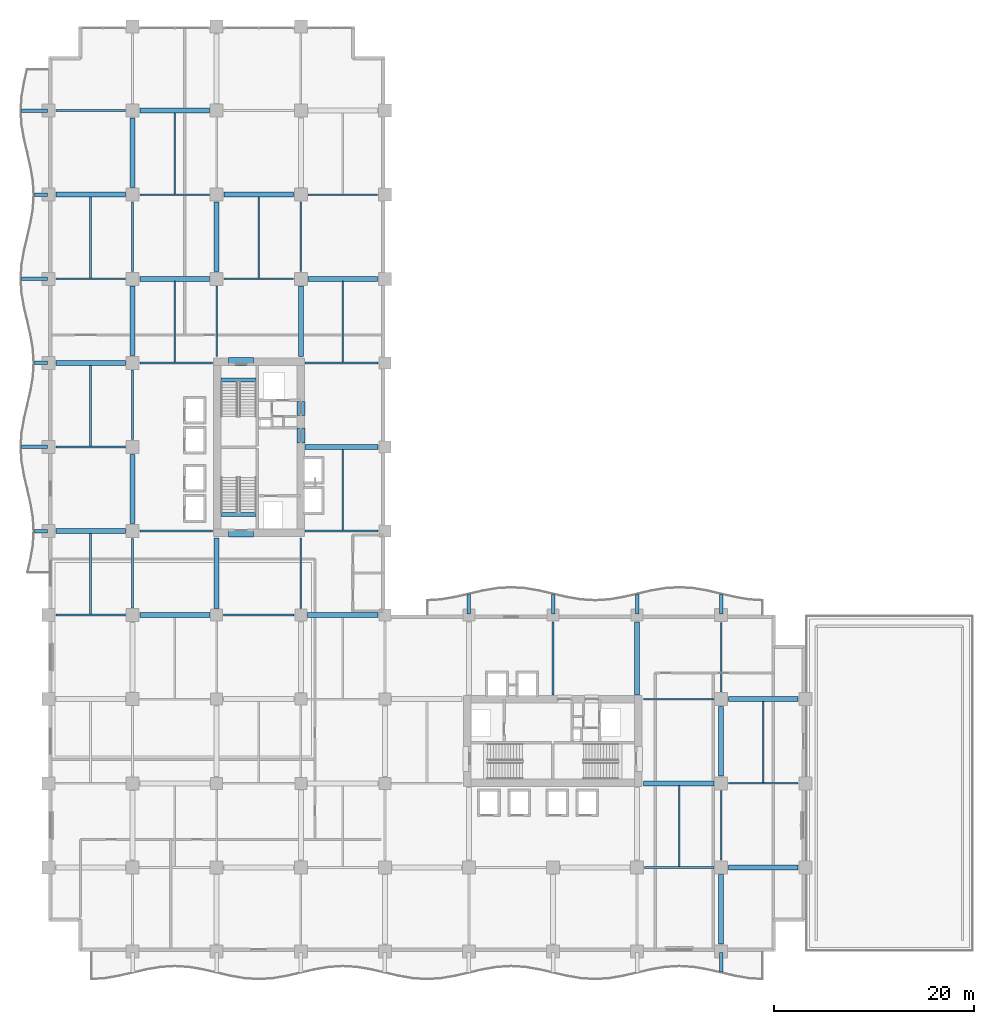
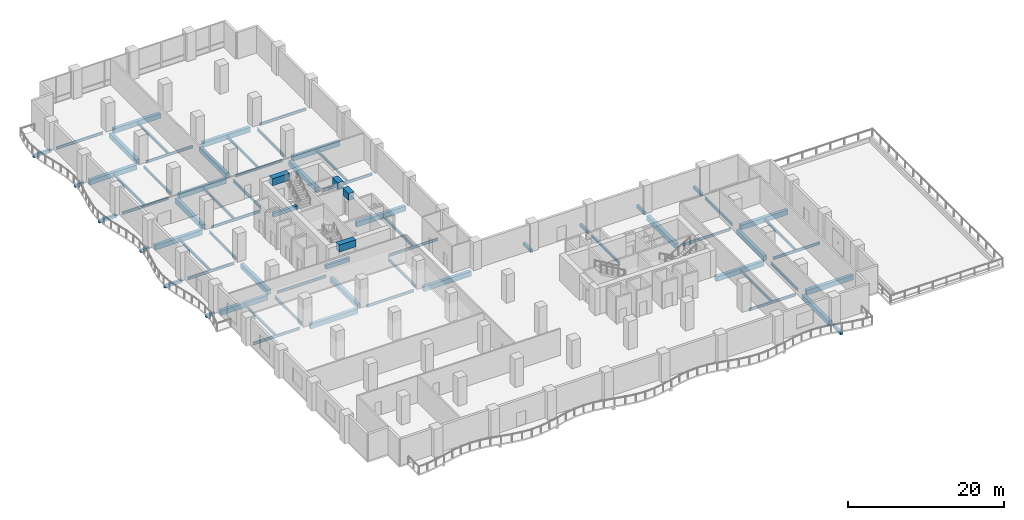
# One storey, part 2 of 21: 73 beams.
"""IFC4 building model written with IfcOpenShell, lengths in metres."""

from ifc_helpers import new_model, si_unit, direction, frame, origin, origin_2d, place, context, subcontext, project, spatial, rectangle, i_section, extrude, material, material_profile, profile_set, type_object, element, save


model = new_model("IFC4")

# Units and contexts
model_context = context("Model", 3, precision=1e-05, world=origin(), true_north=direction((0.0, 1.0)))
body_context = subcontext(model_context, "Body", "Model", "MODEL_VIEW")
ifc_project = project(units=[si_unit("LENGTHUNIT", "METRE"), si_unit("AREAUNIT", "SQUARE_METRE"), si_unit("VOLUMEUNIT", "CUBIC_METRE"), si_unit("PLANEANGLEUNIT", "RADIAN"), si_unit("MASSUNIT", "GRAM", prefix="KILO")], contexts=[model_context])

# Site, building, storey
site_placement = place(None, origin())
site = spatial("IfcSite", under=ifc_project, at=site_placement, CompositionType="ELEMENT")
building_placement = place(site_placement, origin())
building = spatial("IfcBuilding", under=site, at=building_placement, Name="Koriwani Terraces Tower", CompositionType="ELEMENT")
storey_placement = place(building_placement, frame((0.0, 0.0, 85.199951171875)))
storey = spatial("IfcBuildingStorey", under=building, at=storey_placement, Name="L20", CompositionType="ELEMENT", Elevation=85.199951171875)

# Beams
ifc_material_1 = material(Name="Concrete C40/50", Category="concrete")
ifc_material_profile_1 = material_profile(ifc_material_1, rectangle(XDim=0.35009765625, YDim=0.449951171875, at=origin_2d()), Name="Concrete C40/50", Category="LoadBearing")
ifc_profile_set_1 = profile_set([ifc_material_profile_1], Name="Concrete C40/50")
beam_type_1 = type_object("IfcBeamType", Name="BEAM_RC_BALCONY_RIB_350X450", PredefinedType="JOIST", material=ifc_profile_set_1)
beam_1_placement = place(storey_placement, frame((67.199951171875, -2.050048828125, -0.474853515625), z_axis=(0.0, 1.0, 0.0), x_axis=(-1.0, 0.0, 0.0)))
element("IfcBeam", 1, at=beam_1_placement, inside=storey, type_object=beam_type_1, Name="L20 Balcony Bracket Rib S-8", PredefinedType="JOIST", context=body_context, shape_type="SweptSolid", body=[
    extrude(rectangle(XDim=0.35009765625, YDim=0.449951171875, at=origin_2d()), origin(), (0.0, 0.0, 1.0), 1.949951171875),
])
beam_2_placement = place(storey_placement, frame((-1.39990234375, 42.0, -0.474853515625), z_axis=(1.0, 0.0, 0.0), x_axis=(0.0, 1.0, 0.0)))
element("IfcBeam", 2, at=beam_2_placement, inside=storey, type_object=beam_type_1, Name="L20 Balcony Bracket Rib W-1", PredefinedType="JOIST", context=body_context, shape_type="SweptSolid", body=[
    extrude(rectangle(XDim=0.35009765625, YDim=0.449951171875, at=origin_2d()), origin(), (0.0, 0.0, 1.0), 1.2998046875),
])
beam_3_placement = place(storey_placement, frame((-2.699951171875, 50.39990234375, -0.474853515625), z_axis=(1.0, 0.0, 0.0), x_axis=(0.0, 1.0, 0.0)))
element("IfcBeam", 3, at=beam_3_placement, inside=storey, type_object=beam_type_1, Name="L20 Balcony Bracket Rib W-2", PredefinedType="JOIST", context=body_context, shape_type="SweptSolid", body=[
    extrude(rectangle(XDim=0.35009765625, YDim=0.449951171875, at=origin_2d()), origin(), (0.0, 0.0, 1.0), 2.599853515625),
])
beam_4_placement = place(storey_placement, frame((-1.39990234375, 58.800048828125, -0.474853515625), z_axis=(1.0, 0.0, 0.0), x_axis=(0.0, 1.0, 0.0)))
element("IfcBeam", 4, at=beam_4_placement, inside=storey, type_object=beam_type_1, Name="L20 Balcony Bracket Rib W-3", PredefinedType="JOIST", context=body_context, shape_type="SweptSolid", body=[
    extrude(rectangle(XDim=0.35009765625, YDim=0.449951171875, at=origin_2d()), origin(), (0.0, 0.0, 1.0), 1.2998046875),
])
beam_5_placement = place(storey_placement, frame((-2.699951171875, 67.199951171875, -0.474853515625), z_axis=(1.0, 0.0, 0.0), x_axis=(0.0, 1.0, 0.0)))
element("IfcBeam", 5, at=beam_5_placement, inside=storey, type_object=beam_type_1, Name="L20 Balcony Bracket Rib W-4", PredefinedType="JOIST", context=body_context, shape_type="SweptSolid", body=[
    extrude(rectangle(XDim=0.35009765625, YDim=0.449951171875, at=origin_2d()), origin(), (0.0, 0.0, 1.0), 2.599853515625),
])
beam_6_placement = place(storey_placement, frame((-1.39990234375, 75.60009765625, -0.474853515625), z_axis=(1.0, 0.0, 0.0), x_axis=(0.0, 1.0, 0.0)))
element("IfcBeam", 6, at=beam_6_placement, inside=storey, type_object=beam_type_1, Name="L20 Balcony Bracket Rib W-5", PredefinedType="JOIST", context=body_context, shape_type="SweptSolid", body=[
    extrude(rectangle(XDim=0.35009765625, YDim=0.449951171875, at=origin_2d()), origin(), (0.0, 0.0, 1.0), 1.2998046875),
])
beam_7_placement = place(storey_placement, frame((-2.699951171875, 84.0, -0.474853515625), z_axis=(1.0, 0.0, 0.0), x_axis=(0.0, 1.0, 0.0)))
element("IfcBeam", 7, at=beam_7_placement, inside=storey, type_object=beam_type_1, Name="L20 Balcony Bracket Rib W-6", PredefinedType="JOIST", context=body_context, shape_type="SweptSolid", body=[
    extrude(rectangle(XDim=0.35009765625, YDim=0.449951171875, at=origin_2d()), origin(), (0.0, 0.0, 1.0), 2.599853515625),
])
for number, where, z_axis, x_axis, name in (
    (8, (42.0, 33.699951171875, -0.474853515625), (0.0, 1.0, 0.0), (-1.0, 0.0, 0.0), "L20 Balcony Bracket Rib NE-1"),
    (9, (50.39990234375, 33.699951171875, -0.474853515625), (0.0, 1.0, 0.0), (-1.0, 0.0, 0.0), "L20 Balcony Bracket Rib NE-2"),
    (10, (58.800048828125, 33.699951171875, -0.474853515625), (0.0, 1.0, 0.0), (-1.0, 0.0, 0.0), "L20 Balcony Bracket Rib NE-3"),
    (11, (67.199951171875, 33.699951171875, -0.474853515625), (0.0, 1.0, 0.0), (-1.0, 0.0, 0.0), "L20 Balcony Bracket Rib NE-4"),
):
    element("IfcBeam", number, at=place(storey_placement, frame(where, z_axis=z_axis, x_axis=x_axis)), inside=storey, type_object=beam_type_1, Name=name, PredefinedType="JOIST", context=body_context, shape_type="SweptSolid", body=[
        extrude(rectangle(XDim=0.35009765625, YDim=0.449951171875, at=origin_2d()), origin(), (0.0, 0.0, 1.0), 1.949951171875),
    ])
ifc_material_2 = material(Name="Concrete C60/75", Category="concrete")
ifc_material_profile_2 = material_profile(ifc_material_2, rectangle(XDim=0.800048828125, YDim=1.10009765625, at=origin_2d()), Name="Concrete C60/75", Category="LoadBearing")
ifc_profile_set_2 = profile_set([ifc_material_profile_2], Name="Concrete C60/75")
beam_type_2 = type_object("IfcBeamType", Name="BEAM_RC_COUPLING_800X1100", PredefinedType="LINTEL", material=ifc_profile_set_2)
beam_8_placement = place(storey_placement, frame((25.199951171875, 50.800048828125, 3.60009765625), z_axis=(0.0, 1.0, 0.0), x_axis=(-1.0, 0.0, 0.0)))
element("IfcBeam", 12, at=beam_8_placement, inside=storey, type_object=beam_type_2, Name="L20 Core Coupling Lintel Beam WE1", PredefinedType="LINTEL", context=body_context, shape_type="SweptSolid", body=[
    extrude(rectangle(XDim=0.800048828125, YDim=1.10009765625, at=origin_2d()), origin(), (0.0, 0.0, 1.0), 1.47998046875),
])
beam_9_placement = place(storey_placement, frame((25.199951171875, 53.550048828125, 3.60009765625), z_axis=(0.0, 1.0, 0.0), x_axis=(-1.0, 0.0, 0.0)))
element("IfcBeam", 13, at=beam_9_placement, inside=storey, type_object=beam_type_2, Name="L20 Core Coupling Lintel Beam WE2", PredefinedType="LINTEL", context=body_context, shape_type="SweptSolid", body=[
    extrude(rectangle(XDim=0.800048828125, YDim=1.10009765625, at=origin_2d()), origin(), (0.0, 0.0, 1.0), 1.39990234375),
])
for number, where, z_axis, x_axis, name in (
    (14, (18.0, 41.824951171875, 3.60009765625), (1.0, 0.0, 0.0), (0.0, 1.0, 0.0), "L20 Core Coupling Lintel Beam WS"),
    (15, (18.0, 58.925048828125, 3.60009765625), (1.0, 0.0, 0.0), (0.0, 1.0, 0.0), "L20 Core Coupling Lintel Beam WN"),
):
    element("IfcBeam", number, at=place(storey_placement, frame(where, z_axis=z_axis, x_axis=x_axis)), inside=storey, type_object=beam_type_2, Name=name, PredefinedType="LINTEL", context=body_context, shape_type="SweptSolid", body=[
        extrude(rectangle(XDim=0.800048828125, YDim=1.10009765625, at=origin_2d()), origin(), (0.0, 0.0, 1.0), 2.5),
    ])
ifc_material_profile_3 = material_profile(ifc_material_1, rectangle(XDim=0.39990234375, YDim=0.60009765625, at=origin_2d()), Name="Concrete C40/50", Category="LoadBearing")
ifc_profile_set_3 = profile_set([ifc_material_profile_3], Name="Concrete C40/50")
beam_type_3 = type_object("IfcBeamType", Name="BEAM_RC_GRID_400X600", PredefinedType="BEAM", material=ifc_profile_set_3)
for number, where, z_axis, x_axis, name in (
    (16, (17.25, 43.655029296875, -0.300048828125), (1.0, 0.0, 0.0), (0.0, 1.0, 0.0), "L20 Stairwell Header Trimmer Beam ST-W1"),
    (17, (17.25, 57.094970703125, -0.300048828125), (1.0, 0.0, 0.0), (0.0, 1.0, 0.0), "L20 Stairwell Header Trimmer Beam ST-W2"),
):
    element("IfcBeam", number, at=place(storey_placement, frame(where, z_axis=z_axis, x_axis=x_axis)), inside=storey, type_object=beam_type_3, Name=name, PredefinedType="BEAM", context=body_context, shape_type="SweptSolid", body=[
        extrude(rectangle(XDim=0.39990234375, YDim=0.60009765625, at=origin_2d()), origin(), (0.0, 0.0, 1.0), 3.5),
    ])
ifc_material_3 = material(Name="Concrete C50/60", Category="concrete")
ifc_material_profile_4 = material_profile(ifc_material_3, rectangle(XDim=0.5, YDim=0.75, at=origin_2d()), Name="Concrete C50/60", Category="LoadBearing")
ifc_profile_set_4 = profile_set([ifc_material_profile_4], Name="Concrete C50/60")
beam_type_4 = type_object("IfcBeamType", Name="BEAM_RC_GRID_500X750", PredefinedType="BEAM", material=ifc_profile_set_4)
beam_10_placement = place(storey_placement, frame((67.929931640625, 8.39990234375, -0.625), z_axis=(1.0, 0.0, 0.0), x_axis=(0.0, 1.0, 0.0)))
element("IfcBeam", 18, at=beam_10_placement, inside=storey, type_object=beam_type_4, Name="L20 Grid Beam B (67.2-75.6m)", PredefinedType="BEAM", context=body_context, shape_type="SweptSolid", body=[
    extrude(rectangle(XDim=0.5, YDim=0.75, at=origin_2d()), origin(), (0.0, 0.0, 1.0), 6.940185546875),
])
beam_11_placement = place(storey_placement, frame((59.429931640625, 16.800048828125, -0.625), z_axis=(1.0, 0.0, 0.0), x_axis=(0.0, 1.0, 0.0)))
element("IfcBeam", 19, at=beam_11_placement, inside=storey, type_object=beam_type_4, Name="L20 Grid Beam C (58.8-67.2m)", PredefinedType="BEAM", context=body_context, shape_type="SweptSolid", body=[
    extrude(rectangle(XDim=0.5, YDim=0.75, at=origin_2d()), origin(), (0.0, 0.0, 1.0), 7.0400390625),
])
beam_12_placement = place(storey_placement, frame((67.929931640625, 25.199951171875, -0.625), z_axis=(1.0, 0.0, 0.0), x_axis=(0.0, 1.0, 0.0)))
element("IfcBeam", 20, at=beam_12_placement, inside=storey, type_object=beam_type_4, Name="L20 Grid Beam D (67.2-75.6m)", PredefinedType="BEAM", context=body_context, shape_type="SweptSolid", body=[
    extrude(rectangle(XDim=0.5, YDim=0.75, at=origin_2d()), origin(), (0.0, 0.0, 1.0), 6.940185546875),
])
beam_13_placement = place(storey_placement, frame((9.1298828125, 33.60009765625, -0.625), z_axis=(1.0, 0.0, 0.0), x_axis=(0.0, 1.0, 0.0)))
element("IfcBeam", 21, at=beam_13_placement, inside=storey, type_object=beam_type_4, Name="L20 Grid Beam E (8.4-16.8m)", PredefinedType="BEAM", context=body_context, shape_type="SweptSolid", body=[
    extrude(rectangle(XDim=0.5, YDim=0.75, at=origin_2d()), origin(), (0.0, 0.0, 1.0), 6.990234375),
])
beam_14_placement = place(storey_placement, frame((25.8798828125, 33.60009765625, -0.625), z_axis=(1.0, 0.0, 0.0), x_axis=(0.0, 1.0, 0.0)))
element("IfcBeam", 22, at=beam_14_placement, inside=storey, type_object=beam_type_4, Name="L20 Grid Beam E (25.2-33.6m)", PredefinedType="BEAM", context=body_context, shape_type="SweptSolid", body=[
    extrude(rectangle(XDim=0.5, YDim=0.75, at=origin_2d()), origin(), (0.0, 0.0, 1.0), 7.0400390625),
])
beam_15_placement = place(storey_placement, frame((0.72998046875, 42.0, -0.625), z_axis=(1.0, 0.0, 0.0), x_axis=(0.0, 1.0, 0.0)))
element("IfcBeam", 23, at=beam_15_placement, inside=storey, type_object=beam_type_4, Name="L20 Grid Beam F (0.0-8.4m)", PredefinedType="BEAM", context=body_context, shape_type="SweptSolid", body=[
    extrude(rectangle(XDim=0.5, YDim=0.75, at=origin_2d()), origin(), (0.0, 0.0, 1.0), 6.93994140625),
])
beam_16_placement = place(storey_placement, frame((25.6298828125, 50.39990234375, -0.625), z_axis=(1.0, 0.0, 0.0), x_axis=(0.0, 1.0, 0.0)))
element("IfcBeam", 24, at=beam_16_placement, inside=storey, type_object=beam_type_4, Name="L20 Grid Beam G (25.2-33.6m)", PredefinedType="BEAM", context=body_context, shape_type="SweptSolid", body=[
    extrude(rectangle(XDim=0.5, YDim=0.75, at=origin_2d()), origin(), (0.0, 0.0, 1.0), 7.2900390625),
])
beam_17_placement = place(storey_placement, frame((0.72998046875, 58.800048828125, -0.625), z_axis=(1.0, 0.0, 0.0), x_axis=(0.0, 1.0, 0.0)))
element("IfcBeam", 25, at=beam_17_placement, inside=storey, type_object=beam_type_4, Name="L20 Grid Beam H (0.0-8.4m)", PredefinedType="BEAM", context=body_context, shape_type="SweptSolid", body=[
    extrude(rectangle(XDim=0.5, YDim=0.75, at=origin_2d()), origin(), (0.0, 0.0, 1.0), 6.93994140625),
])
for number, where, z_axis, x_axis, name in (
    (26, (9.1298828125, 67.199951171875, -0.625), (1.0, 0.0, 0.0), (0.0, 1.0, 0.0), "L20 Grid Beam I (8.4-16.8m)"),
    (27, (25.929931640625, 67.199951171875, -0.625), (1.0, 0.0, 0.0), (0.0, 1.0, 0.0), "L20 Grid Beam I (25.2-33.6m)"),
):
    element("IfcBeam", number, at=place(storey_placement, frame(where, z_axis=z_axis, x_axis=x_axis)), inside=storey, type_object=beam_type_4, Name=name, PredefinedType="BEAM", context=body_context, shape_type="SweptSolid", body=[
        extrude(rectangle(XDim=0.5, YDim=0.75, at=origin_2d()), origin(), (0.0, 0.0, 1.0), 6.940185546875),
    ])
for number, where, z_axis, x_axis, name in (
    (28, (0.72998046875, 75.60009765625, -0.625), (1.0, 0.0, 0.0), (0.0, 1.0, 0.0), "L20 Grid Beam J (0.0-8.4m)"),
    (29, (17.530029296875, 75.60009765625, -0.625), (1.0, 0.0, 0.0), (0.0, 1.0, 0.0), "L20 Grid Beam J (16.8-25.2m)"),
):
    element("IfcBeam", number, at=place(storey_placement, frame(where, z_axis=z_axis, x_axis=x_axis)), inside=storey, type_object=beam_type_4, Name=name, PredefinedType="BEAM", context=body_context, shape_type="SweptSolid", body=[
        extrude(rectangle(XDim=0.5, YDim=0.75, at=origin_2d()), origin(), (0.0, 0.0, 1.0), 6.93994140625),
    ])
beam_18_placement = place(storey_placement, frame((9.1298828125, 84.0, -0.625), z_axis=(1.0, 0.0, 0.0), x_axis=(0.0, 1.0, 0.0)))
element("IfcBeam", 30, at=beam_18_placement, inside=storey, type_object=beam_type_4, Name="L20 Grid Beam K (8.4-16.8m)", PredefinedType="BEAM", context=body_context, shape_type="SweptSolid", body=[
    extrude(rectangle(XDim=0.5, YDim=0.75, at=origin_2d()), origin(), (0.0, 0.0, 1.0), 6.940185546875),
])
for number, where, z_axis, x_axis, name in (
    (31, (8.39990234375, 42.72998046875, -0.625), (0.0, 1.0, 0.0), (-1.0, 0.0, 0.0), "L20 Grid Beam 2 (42.0-50.4m)"),
    (32, (8.39990234375, 59.530029296875, -0.625), (0.0, 1.0, 0.0), (-1.0, 0.0, 0.0), "L20 Grid Beam 2 (58.8-67.2m)"),
    (33, (8.39990234375, 76.330078125, -0.625), (0.0, 1.0, 0.0), (-1.0, 0.0, 0.0), "L20 Grid Beam 2 (75.6-84.0m)"),
):
    element("IfcBeam", number, at=place(storey_placement, frame(where, z_axis=z_axis, x_axis=x_axis)), inside=storey, type_object=beam_type_4, Name=name, PredefinedType="BEAM", context=body_context, shape_type="SweptSolid", body=[
        extrude(rectangle(XDim=0.5, YDim=0.75, at=origin_2d()), origin(), (0.0, 0.0, 1.0), 6.93994140625),
    ])
beam_19_placement = place(storey_placement, frame((16.800048828125, 34.280029296875, -0.625), z_axis=(0.0, 1.0, 0.0), x_axis=(-1.0, 0.0, 0.0)))
element("IfcBeam", 34, at=beam_19_placement, inside=storey, type_object=beam_type_4, Name="L20 Grid Beam 3 (33.6-42.0m)", PredefinedType="BEAM", context=body_context, shape_type="SweptSolid", body=[
    extrude(rectangle(XDim=0.5, YDim=0.75, at=origin_2d()), origin(), (0.0, 0.0, 1.0), 7.0400390625),
])
beam_20_placement = place(storey_placement, frame((16.800048828125, 67.929931640625, -0.625), z_axis=(0.0, 1.0, 0.0), x_axis=(-1.0, 0.0, 0.0)))
element("IfcBeam", 35, at=beam_20_placement, inside=storey, type_object=beam_type_4, Name="L20 Grid Beam 3 (67.2-75.6m)", PredefinedType="BEAM", context=body_context, shape_type="SweptSolid", body=[
    extrude(rectangle(XDim=0.5, YDim=0.75, at=origin_2d()), origin(), (0.0, 0.0, 1.0), 6.940185546875),
])
beam_21_placement = place(storey_placement, frame((25.199951171875, 59.429931640625, -0.625), z_axis=(0.0, 1.0, 0.0), x_axis=(-1.0, 0.0, 0.0)))
element("IfcBeam", 36, at=beam_21_placement, inside=storey, type_object=beam_type_4, Name="L20 Grid Beam 4 (58.8-67.2m)", PredefinedType="BEAM", context=body_context, shape_type="SweptSolid", body=[
    extrude(rectangle(XDim=0.5, YDim=0.75, at=origin_2d()), origin(), (0.0, 0.0, 1.0), 7.0400390625),
])
beam_22_placement = place(storey_placement, frame((58.800048828125, 25.6298828125, -0.625), z_axis=(0.0, 1.0, 0.0), x_axis=(-1.0, 0.0, 0.0)))
element("IfcBeam", 37, at=beam_22_placement, inside=storey, type_object=beam_type_4, Name="L20 Grid Beam 8 (25.2-33.6m)", PredefinedType="BEAM", context=body_context, shape_type="SweptSolid", body=[
    extrude(rectangle(XDim=0.5, YDim=0.75, at=origin_2d()), origin(), (0.0, 0.0, 1.0), 7.2900390625),
])
for number, where, z_axis, x_axis, name in (
    (38, (67.199951171875, 0.72998046875, -0.625), (0.0, 1.0, 0.0), (-1.0, 0.0, 0.0), "L20 Grid Beam 9 (0.0-8.4m)"),
    (39, (67.199951171875, 17.530029296875, -0.625), (0.0, 1.0, 0.0), (-1.0, 0.0, 0.0), "L20 Grid Beam 9 (16.8-25.2m)"),
):
    element("IfcBeam", number, at=place(storey_placement, frame(where, z_axis=z_axis, x_axis=x_axis)), inside=storey, type_object=beam_type_4, Name=name, PredefinedType="BEAM", context=body_context, shape_type="SweptSolid", body=[
        extrude(rectangle(XDim=0.5, YDim=0.75, at=origin_2d()), origin(), (0.0, 0.0, 1.0), 6.93994140625),
    ])
ifc_material_4 = material(Name="Steel ASTM A572 Grade 50", Category="steel")
ifc_material_profile_5 = material_profile(ifc_material_4, i_section(OverallWidth=0.180908203125, OverallDepth=0.4169921875, WebThickness=0.010986328125, FlangeThickness=0.018310546875, at=origin_2d()), Name="Steel ASTM A572 Grade 50", Category="LoadBearing")
ifc_profile_set_5 = profile_set([ifc_material_profile_5], Name="Steel ASTM A572 Grade 50")
beam_type_5 = type_object("IfcBeamType", Name="STEEL_BEAM_W410X85", PredefinedType="JOIST", material=ifc_profile_set_5)
beam_23_placement = place(storey_placement, frame((59.530029296875, 8.39990234375, -0.45849609375), z_axis=(1.0, 0.0, 0.0), x_axis=(0.0, 1.0, 0.0)))
element("IfcBeam", 40, at=beam_23_placement, inside=storey, type_object=beam_type_5, Name="L20 Grid Beam B (58.8-67.2m)", PredefinedType="JOIST", context=body_context, shape_type="SweptSolid", body=[
    extrude(i_section(OverallWidth=0.180908203125, OverallDepth=0.4169921875, WebThickness=0.010986328125, FlangeThickness=0.018310546875, at=origin_2d()), origin(), (0.0, 0.0, 1.0), 6.93994140625),
])
beam_24_placement = place(storey_placement, frame((67.929931640625, 16.800048828125, -0.45849609375), z_axis=(1.0, 0.0, 0.0), x_axis=(0.0, 1.0, 0.0)))
element("IfcBeam", 41, at=beam_24_placement, inside=storey, type_object=beam_type_5, Name="L20 Grid Beam C (67.2-75.6m)", PredefinedType="JOIST", context=body_context, shape_type="SweptSolid", body=[
    extrude(i_section(OverallWidth=0.180908203125, OverallDepth=0.4169921875, WebThickness=0.010986328125, FlangeThickness=0.018310546875, at=origin_2d()), origin(), (0.0, 0.0, 1.0), 6.940185546875),
])
beam_25_placement = place(storey_placement, frame((59.429931640625, 25.199951171875, -0.45849609375), z_axis=(1.0, 0.0, 0.0), x_axis=(0.0, 1.0, 0.0)))
element("IfcBeam", 42, at=beam_25_placement, inside=storey, type_object=beam_type_5, Name="L20 Grid Beam D (58.8-67.2m)", PredefinedType="JOIST", context=body_context, shape_type="SweptSolid", body=[
    extrude(i_section(OverallWidth=0.180908203125, OverallDepth=0.4169921875, WebThickness=0.010986328125, FlangeThickness=0.018310546875, at=origin_2d()), origin(), (0.0, 0.0, 1.0), 7.0400390625),
])
beam_26_placement = place(storey_placement, frame((0.72998046875, 33.60009765625, -0.45849609375), z_axis=(1.0, 0.0, 0.0), x_axis=(0.0, 1.0, 0.0)))
element("IfcBeam", 43, at=beam_26_placement, inside=storey, type_object=beam_type_5, Name="L20 Grid Beam E (0.0-8.4m)", PredefinedType="JOIST", context=body_context, shape_type="SweptSolid", body=[
    extrude(i_section(OverallWidth=0.180908203125, OverallDepth=0.4169921875, WebThickness=0.010986328125, FlangeThickness=0.018310546875, at=origin_2d()), origin(), (0.0, 0.0, 1.0), 6.93994140625),
])
beam_27_placement = place(storey_placement, frame((17.47998046875, 33.60009765625, -0.45849609375), z_axis=(1.0, 0.0, 0.0), x_axis=(0.0, 1.0, 0.0)))
element("IfcBeam", 44, at=beam_27_placement, inside=storey, type_object=beam_type_5, Name="L20 Grid Beam E (16.8-25.2m)", PredefinedType="JOIST", context=body_context, shape_type="SweptSolid", body=[
    extrude(i_section(OverallWidth=0.180908203125, OverallDepth=0.4169921875, WebThickness=0.010986328125, FlangeThickness=0.018310546875, at=origin_2d()), origin(), (0.0, 0.0, 1.0), 7.0400390625),
])
beam_28_placement = place(storey_placement, frame((9.1298828125, 42.0, -0.45849609375), z_axis=(1.0, 0.0, 0.0), x_axis=(0.0, 1.0, 0.0)))
element("IfcBeam", 45, at=beam_28_placement, inside=storey, type_object=beam_type_5, Name="L20 Grid Beam F (8.4-16.8m)", PredefinedType="JOIST", context=body_context, shape_type="SweptSolid", body=[
    extrude(i_section(OverallWidth=0.180908203125, OverallDepth=0.4169921875, WebThickness=0.010986328125, FlangeThickness=0.018310546875, at=origin_2d()), origin(), (0.0, 0.0, 1.0), 7.240234375),
])
beam_29_placement = place(storey_placement, frame((25.6298828125, 42.0, -0.45849609375), z_axis=(1.0, 0.0, 0.0), x_axis=(0.0, 1.0, 0.0)))
element("IfcBeam", 46, at=beam_29_placement, inside=storey, type_object=beam_type_5, Name="L20 Grid Beam F (25.2-33.6m)", PredefinedType="JOIST", context=body_context, shape_type="SweptSolid", body=[
    extrude(i_section(OverallWidth=0.180908203125, OverallDepth=0.4169921875, WebThickness=0.010986328125, FlangeThickness=0.018310546875, at=origin_2d()), origin(), (0.0, 0.0, 1.0), 7.2900390625),
])
beam_30_placement = place(storey_placement, frame((0.72998046875, 50.39990234375, -0.45849609375), z_axis=(1.0, 0.0, 0.0), x_axis=(0.0, 1.0, 0.0)))
element("IfcBeam", 47, at=beam_30_placement, inside=storey, type_object=beam_type_5, Name="L20 Grid Beam G (0.0-8.4m)", PredefinedType="JOIST", context=body_context, shape_type="SweptSolid", body=[
    extrude(i_section(OverallWidth=0.180908203125, OverallDepth=0.4169921875, WebThickness=0.010986328125, FlangeThickness=0.018310546875, at=origin_2d()), origin(), (0.0, 0.0, 1.0), 6.93994140625),
])
beam_31_placement = place(storey_placement, frame((9.1298828125, 58.800048828125, -0.45849609375), z_axis=(1.0, 0.0, 0.0), x_axis=(0.0, 1.0, 0.0)))
element("IfcBeam", 48, at=beam_31_placement, inside=storey, type_object=beam_type_5, Name="L20 Grid Beam H (8.4-16.8m)", PredefinedType="JOIST", context=body_context, shape_type="SweptSolid", body=[
    extrude(i_section(OverallWidth=0.180908203125, OverallDepth=0.4169921875, WebThickness=0.010986328125, FlangeThickness=0.018310546875, at=origin_2d()), origin(), (0.0, 0.0, 1.0), 7.240234375),
])
beam_32_placement = place(storey_placement, frame((25.6298828125, 58.800048828125, -0.45849609375), z_axis=(1.0, 0.0, 0.0), x_axis=(0.0, 1.0, 0.0)))
element("IfcBeam", 49, at=beam_32_placement, inside=storey, type_object=beam_type_5, Name="L20 Grid Beam H (25.2-33.6m)", PredefinedType="JOIST", context=body_context, shape_type="SweptSolid", body=[
    extrude(i_section(OverallWidth=0.180908203125, OverallDepth=0.4169921875, WebThickness=0.010986328125, FlangeThickness=0.018310546875, at=origin_2d()), origin(), (0.0, 0.0, 1.0), 7.2900390625),
])
for number, where, z_axis, x_axis, name in (
    (50, (0.72998046875, 67.199951171875, -0.45849609375), (1.0, 0.0, 0.0), (0.0, 1.0, 0.0), "L20 Grid Beam I (0.0-8.4m)"),
    (51, (17.530029296875, 67.199951171875, -0.45849609375), (1.0, 0.0, 0.0), (0.0, 1.0, 0.0), "L20 Grid Beam I (16.8-25.2m)"),
):
    element("IfcBeam", number, at=place(storey_placement, frame(where, z_axis=z_axis, x_axis=x_axis)), inside=storey, type_object=beam_type_5, Name=name, PredefinedType="JOIST", context=body_context, shape_type="SweptSolid", body=[
        extrude(i_section(OverallWidth=0.180908203125, OverallDepth=0.4169921875, WebThickness=0.010986328125, FlangeThickness=0.018310546875, at=origin_2d()), origin(), (0.0, 0.0, 1.0), 6.93994140625),
    ])
for number, where, z_axis, x_axis, name in (
    (52, (9.1298828125, 75.60009765625, -0.45849609375), (1.0, 0.0, 0.0), (0.0, 1.0, 0.0), "L20 Grid Beam J (8.4-16.8m)"),
    (53, (25.929931640625, 75.60009765625, -0.45849609375), (1.0, 0.0, 0.0), (0.0, 1.0, 0.0), "L20 Grid Beam J (25.2-33.6m)"),
):
    element("IfcBeam", number, at=place(storey_placement, frame(where, z_axis=z_axis, x_axis=x_axis)), inside=storey, type_object=beam_type_5, Name=name, PredefinedType="JOIST", context=body_context, shape_type="SweptSolid", body=[
        extrude(i_section(OverallWidth=0.180908203125, OverallDepth=0.4169921875, WebThickness=0.010986328125, FlangeThickness=0.018310546875, at=origin_2d()), origin(), (0.0, 0.0, 1.0), 6.940185546875),
    ])
for number, where, z_axis, x_axis, name in (
    (54, (0.72998046875, 84.0, -0.45849609375), (1.0, 0.0, 0.0), (0.0, 1.0, 0.0), "L20 Grid Beam K (0.0-8.4m)"),
    (55, (8.39990234375, 34.330078125, -0.45849609375), (0.0, 1.0, 0.0), (-1.0, 0.0, 0.0), "L20 Grid Beam 2 (33.6-42.0m)"),
):
    element("IfcBeam", number, at=place(storey_placement, frame(where, z_axis=z_axis, x_axis=x_axis)), inside=storey, type_object=beam_type_5, Name=name, PredefinedType="JOIST", context=body_context, shape_type="SweptSolid", body=[
        extrude(i_section(OverallWidth=0.180908203125, OverallDepth=0.4169921875, WebThickness=0.010986328125, FlangeThickness=0.018310546875, at=origin_2d()), origin(), (0.0, 0.0, 1.0), 6.93994140625),
    ])
for number, where, z_axis, x_axis, name in (
    (56, (8.39990234375, 51.1298828125, -0.45849609375), (0.0, 1.0, 0.0), (-1.0, 0.0, 0.0), "L20 Grid Beam 2 (50.4-58.8m)"),
    (57, (8.39990234375, 67.929931640625, -0.45849609375), (0.0, 1.0, 0.0), (-1.0, 0.0, 0.0), "L20 Grid Beam 2 (67.2-75.6m)"),
):
    element("IfcBeam", number, at=place(storey_placement, frame(where, z_axis=z_axis, x_axis=x_axis)), inside=storey, type_object=beam_type_5, Name=name, PredefinedType="JOIST", context=body_context, shape_type="SweptSolid", body=[
        extrude(i_section(OverallWidth=0.180908203125, OverallDepth=0.4169921875, WebThickness=0.010986328125, FlangeThickness=0.018310546875, at=origin_2d()), origin(), (0.0, 0.0, 1.0), 6.940185546875),
    ])
for number, where, z_axis, x_axis, name in (
    (58, (16.800048828125, 59.429931640625, -0.45849609375), (0.0, 1.0, 0.0), (-1.0, 0.0, 0.0), "L20 Grid Beam 3 (58.8-67.2m)"),
    (59, (25.199951171875, 34.280029296875, -0.45849609375), (0.0, 1.0, 0.0), (-1.0, 0.0, 0.0), "L20 Grid Beam 4 (33.6-42.0m)"),
):
    element("IfcBeam", number, at=place(storey_placement, frame(where, z_axis=z_axis, x_axis=x_axis)), inside=storey, type_object=beam_type_5, Name=name, PredefinedType="JOIST", context=body_context, shape_type="SweptSolid", body=[
        extrude(i_section(OverallWidth=0.180908203125, OverallDepth=0.4169921875, WebThickness=0.010986328125, FlangeThickness=0.018310546875, at=origin_2d()), origin(), (0.0, 0.0, 1.0), 7.0400390625),
    ])
beam_33_placement = place(storey_placement, frame((25.199951171875, 67.929931640625, -0.45849609375), z_axis=(0.0, 1.0, 0.0), x_axis=(-1.0, 0.0, 0.0)))
element("IfcBeam", 60, at=beam_33_placement, inside=storey, type_object=beam_type_5, Name="L20 Grid Beam 4 (67.2-75.6m)", PredefinedType="JOIST", context=body_context, shape_type="SweptSolid", body=[
    extrude(i_section(OverallWidth=0.180908203125, OverallDepth=0.4169921875, WebThickness=0.010986328125, FlangeThickness=0.018310546875, at=origin_2d()), origin(), (0.0, 0.0, 1.0), 6.940185546875),
])
beam_34_placement = place(storey_placement, frame((50.39990234375, 25.6298828125, -0.45849609375), z_axis=(0.0, 1.0, 0.0), x_axis=(-1.0, 0.0, 0.0)))
element("IfcBeam", 61, at=beam_34_placement, inside=storey, type_object=beam_type_5, Name="L20 Grid Beam 7 (25.2-33.6m)", PredefinedType="JOIST", context=body_context, shape_type="SweptSolid", body=[
    extrude(i_section(OverallWidth=0.180908203125, OverallDepth=0.4169921875, WebThickness=0.010986328125, FlangeThickness=0.018310546875, at=origin_2d()), origin(), (0.0, 0.0, 1.0), 7.2900390625),
])
for number, where, z_axis, x_axis, name in (
    (62, (67.199951171875, 9.1298828125, -0.45849609375), (0.0, 1.0, 0.0), (-1.0, 0.0, 0.0), "L20 Grid Beam 9 (8.4-16.8m)"),
    (63, (67.199951171875, 25.929931640625, -0.45849609375), (0.0, 1.0, 0.0), (-1.0, 0.0, 0.0), "L20 Grid Beam 9 (25.2-33.6m)"),
):
    element("IfcBeam", number, at=place(storey_placement, frame(where, z_axis=z_axis, x_axis=x_axis)), inside=storey, type_object=beam_type_5, Name=name, PredefinedType="JOIST", context=body_context, shape_type="SweptSolid", body=[
        extrude(i_section(OverallWidth=0.180908203125, OverallDepth=0.4169921875, WebThickness=0.010986328125, FlangeThickness=0.018310546875, at=origin_2d()), origin(), (0.0, 0.0, 1.0), 6.940185546875),
    ])
for number, where, z_axis, x_axis, name in (
    (64, (4.199951171875, 33.680419921875, -0.45849609375), (0.0, 1.0, 0.0), (-1.0, 0.0, 0.0), "L20 Secondary Steel Floor Joist X=4.2m"),
    (65, (4.199951171875, 50.48046875, -0.45849609375), (0.0, 1.0, 0.0), (-1.0, 0.0, 0.0), "L20 Secondary Steel Floor Joist X=4.2m"),
    (66, (4.199951171875, 67.280517578125, -0.45849609375), (0.0, 1.0, 0.0), (-1.0, 0.0, 0.0), "L20 Secondary Steel Floor Joist X=4.2m"),
):
    element("IfcBeam", number, at=place(storey_placement, frame(where, z_axis=z_axis, x_axis=x_axis)), inside=storey, type_object=beam_type_5, Name=name, PredefinedType="JOIST", context=body_context, shape_type="SweptSolid", body=[
        extrude(i_section(OverallWidth=0.180908203125, OverallDepth=0.4169921875, WebThickness=0.010986328125, FlangeThickness=0.018310546875, at=origin_2d()), origin(), (0.0, 0.0, 1.0), 8.07958984375),
    ])
beam_35_placement = place(storey_placement, frame((12.60009765625, 58.880615234375, -0.45849609375), z_axis=(0.0, 1.0, 0.0), x_axis=(-1.0, 0.0, 0.0)))
element("IfcBeam", 67, at=beam_35_placement, inside=storey, type_object=beam_type_5, Name="L20 Secondary Steel Floor Joist X=12.6m", PredefinedType="JOIST", context=body_context, shape_type="SweptSolid", body=[
    extrude(i_section(OverallWidth=0.180908203125, OverallDepth=0.4169921875, WebThickness=0.010986328125, FlangeThickness=0.018310546875, at=origin_2d()), origin(), (0.0, 0.0, 1.0), 8.079345703125),
])
for number, where, z_axis, x_axis, name in (
    (68, (12.60009765625, 75.680419921875, -0.45849609375), (0.0, 1.0, 0.0), (-1.0, 0.0, 0.0), "L20 Secondary Steel Floor Joist X=12.6m"),
    (69, (21.0, 67.280517578125, -0.45849609375), (0.0, 1.0, 0.0), (-1.0, 0.0, 0.0), "L20 Secondary Steel Floor Joist X=21.0m"),
):
    element("IfcBeam", number, at=place(storey_placement, frame(where, z_axis=z_axis, x_axis=x_axis)), inside=storey, type_object=beam_type_5, Name=name, PredefinedType="JOIST", context=body_context, shape_type="SweptSolid", body=[
        extrude(i_section(OverallWidth=0.180908203125, OverallDepth=0.4169921875, WebThickness=0.010986328125, FlangeThickness=0.018310546875, at=origin_2d()), origin(), (0.0, 0.0, 1.0), 8.07958984375),
    ])
for number, where, z_axis, x_axis, name in (
    (70, (29.39990234375, 42.08056640625, -0.45849609375), (0.0, 1.0, 0.0), (-1.0, 0.0, 0.0), "L20 Secondary Steel Floor Joist X=29.4m"),
    (71, (29.39990234375, 58.880615234375, -0.45849609375), (0.0, 1.0, 0.0), (-1.0, 0.0, 0.0), "L20 Secondary Steel Floor Joist X=29.4m"),
):
    element("IfcBeam", number, at=place(storey_placement, frame(where, z_axis=z_axis, x_axis=x_axis)), inside=storey, type_object=beam_type_5, Name=name, PredefinedType="JOIST", context=body_context, shape_type="SweptSolid", body=[
        extrude(i_section(OverallWidth=0.180908203125, OverallDepth=0.4169921875, WebThickness=0.010986328125, FlangeThickness=0.018310546875, at=origin_2d()), origin(), (0.0, 0.0, 1.0), 8.079345703125),
    ])
beam_36_placement = place(storey_placement, frame((63.0, 8.48046875, -0.45849609375), z_axis=(0.0, 1.0, 0.0), x_axis=(-1.0, 0.0, 0.0)))
element("IfcBeam", 72, at=beam_36_placement, inside=storey, type_object=beam_type_5, Name="L20 Secondary Steel Floor Joist X=63.0m", PredefinedType="JOIST", context=body_context, shape_type="SweptSolid", body=[
    extrude(i_section(OverallWidth=0.180908203125, OverallDepth=0.4169921875, WebThickness=0.010986328125, FlangeThickness=0.018310546875, at=origin_2d()), origin(), (0.0, 0.0, 1.0), 8.07958984375),
])
beam_37_placement = place(storey_placement, frame((71.39990234375, 16.880615234375, -0.45849609375), z_axis=(0.0, 1.0, 0.0), x_axis=(-1.0, 0.0, 0.0)))
element("IfcBeam", 73, at=beam_37_placement, inside=storey, type_object=beam_type_5, Name="L20 Secondary Steel Floor Joist X=71.4m", PredefinedType="JOIST", context=body_context, shape_type="SweptSolid", body=[
    extrude(i_section(OverallWidth=0.180908203125, OverallDepth=0.4169921875, WebThickness=0.010986328125, FlangeThickness=0.018310546875, at=origin_2d()), origin(), (0.0, 0.0, 1.0), 8.079345703125),
])

save(model, "model.ifc")
